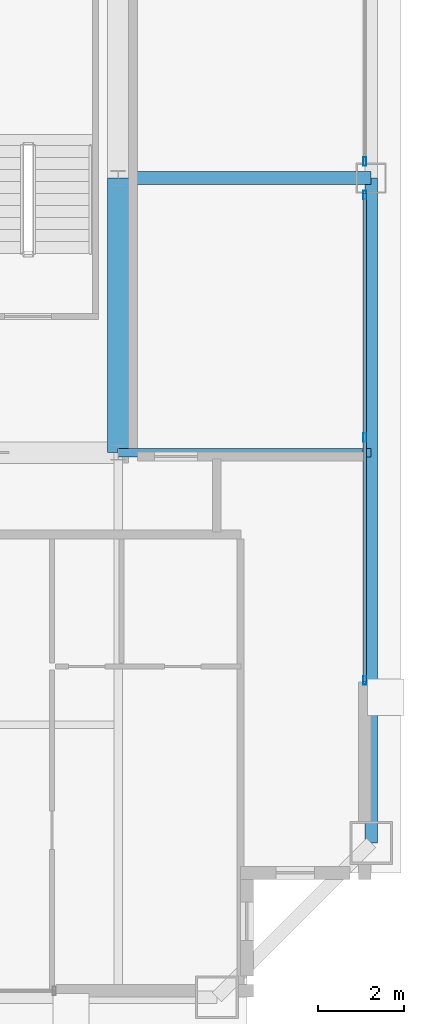
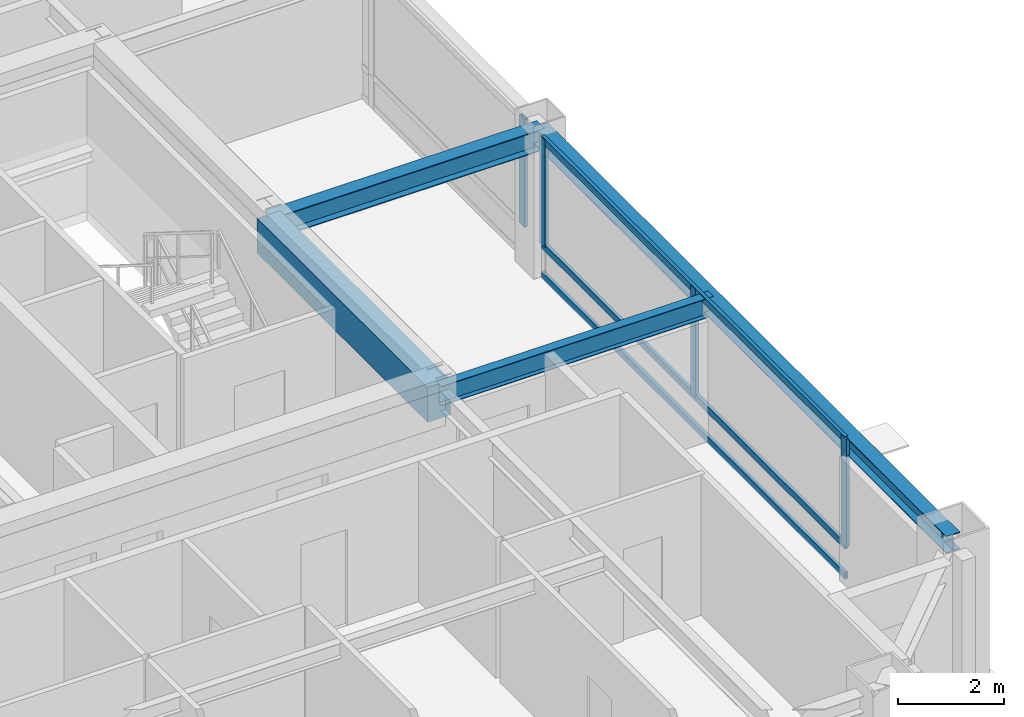
# One storey, part 14 of 35: 7 members, 4 beams, 2 elements without a shape of their own.
"""IFC4 building model written with IfcOpenShell, lengths in metres."""

from ifc_helpers import new_model, si_unit, direction, frame, origin, origin_2d, place, context, subcontext, project, spatial, rectangle, hollow_rectangle, i_section, extrude, source, transform, mapped, material, layer, layer_set, material_profile, profile_set, type_object, element, aggregate, save


model = new_model("IFC4")

# Units and contexts
model_context = context("Model", 3, precision=1e-05, world=origin(), true_north=direction((0.0, 1.0)))
body_context = subcontext(model_context, "Body", "Model", "MODEL_VIEW")
ifc_project = project(units=[si_unit("LENGTHUNIT", "METRE"), si_unit("AREAUNIT", "SQUARE_METRE"), si_unit("VOLUMEUNIT", "CUBIC_METRE"), si_unit("PLANEANGLEUNIT", "RADIAN"), si_unit("MASSUNIT", "GRAM", prefix="KILO"), si_unit("THERMODYNAMICTEMPERATUREUNIT", "KELVIN"), si_unit("POWERUNIT", "WATT")], contexts=[model_context])

# Site, building, storey
site_placement = place(None, origin())
site = spatial("IfcSite", under=ifc_project, at=site_placement, CompositionType="ELEMENT")
building_placement = place(site_placement, origin())
building = spatial("IfcBuilding", under=site, at=building_placement, Name="Yuzanri Waterfront Tower", CompositionType="ELEMENT")
storey_placement = place(building_placement, frame((0.0, 0.0, 303.10009765625)))
storey = spatial("IfcBuildingStorey", under=building, at=storey_placement, Name="L81", CompositionType="ELEMENT", Elevation=303.10009765625)

# Beams
ifc_material_1 = material(Name="Concrete C50", Category="concrete")
ifc_material_profile_1 = material_profile(ifc_material_1, rectangle(XDim=0.5, YDim=0.800048828125, at=origin_2d()), Name="RC 500x800")
ifc_profile_set_1 = profile_set([ifc_material_profile_1], Name="Concrete C50")
beam_type_1 = type_object("IfcBeamType", Name="Core Coupling Lintel Concrete C50 500x800", PredefinedType="LINTEL", material=ifc_profile_set_1)
shared_shape_1 = source(origin(), body_context, "Body", "SweptSolid", [
    extrude(rectangle(XDim=0.5, YDim=0.800048828125, at=origin_2d()), origin(), (0.0, 0.0, 1.0), 6.400146484375),
])
beam_1_placement = place(storey_placement, frame((50.199951171875, 19.39990234375, 2.81982421875), z_axis=(0.0, 1.0, 0.0), x_axis=(-1.0, 0.0, 0.0)))
element("IfcBeam", 1, at=beam_1_placement, inside=storey, type_object=beam_type_1, Name="L81 Core Tie Beam CE1", PredefinedType="LINTEL", context=body_context, shape_type="MappedRepresentation", body=[
    mapped(shared_shape_1, transform((0.0, 0.0, 0.0), scale=1.0)),
])
ifc_material_2 = material(Name="Steel Q355B", Category="steel")
ifc_material_profile_2 = material_profile(ifc_material_2, i_section(OverallWidth=0.300048828125, OverallDepth=0.389892578125, WebThickness=0.010009765625, FlangeThickness=0.01611328125, at=origin_2d()), Name="HM 390x300x10x16")
ifc_profile_set_2 = profile_set([ifc_material_profile_2], Name="Steel Q355B")
beam_type_2 = type_object("IfcBeamType", Name="Perimeter Spandrel Q355B HM 390x300", PredefinedType="SPANDREL", material=ifc_profile_set_2)
shared_shape_2 = source(origin(), body_context, "Body", "SweptSolid", [
    extrude(i_section(OverallWidth=0.300048828125, OverallDepth=0.389892578125, WebThickness=0.010009765625, FlangeThickness=0.01611328125, at=origin_2d()), origin(), (0.0, 0.0, 1.0), 15.5),
])
beam_2_placement = place(storey_placement, frame((56.10009765625, 10.300048828125, 3.02490234375), z_axis=(0.0, 1.0, 0.0), x_axis=(-1.0, 0.0, 0.0)))
element("IfcBeam", 2, at=beam_2_placement, inside=storey, type_object=beam_type_2, Name="L81 Perimeter Spandrel E1-E2", PredefinedType="SPANDREL", context=body_context, shape_type="MappedRepresentation", body=[
    mapped(shared_shape_2, transform((0.0, 0.0, 0.0), scale=1.0)),
])
ifc_material_3 = material(Name="Steel Q355B", Category="steel")
ifc_material_profile_3 = material_profile(ifc_material_3, i_section(OverallWidth=0.300048828125, OverallDepth=0.488037109375, WebThickness=0.010986328125, FlangeThickness=0.01806640625, at=origin_2d()), Name="HM 488x300x11x18")
ifc_profile_set_3 = profile_set([ifc_material_profile_3], Name="Steel Q355B")
beam_type_3 = type_object("IfcBeamType", Name="Primary Floor Girder Q355B HM 488x300", PredefinedType="BEAM", material=ifc_profile_set_3)
shared_shape_3 = source(origin(), body_context, "Body", "SweptSolid", [
    extrude(i_section(OverallWidth=0.300048828125, OverallDepth=0.488037109375, WebThickness=0.010986328125, FlangeThickness=0.01806640625, at=origin_2d()), origin(), (0.0, 0.0, 1.0), 5.900146484375),
])
beam_3_placement = place(storey_placement, frame((50.199951171875, 25.800048828125, 2.975830078125), z_axis=(1.0, 0.0, 0.0), x_axis=(0.0, 1.0, 0.0)))
element("IfcBeam", 3, at=beam_3_placement, inside=storey, type_object=beam_type_3, Name="L81 East Grid Girder", PredefinedType="BEAM", context=body_context, shape_type="MappedRepresentation", body=[
    mapped(shared_shape_3, transform((0.0, 0.0, 0.0), scale=1.0)),
])
ifc_material_4 = material(Name="Steel Q355B", Category="steel")
ifc_material_profile_4 = material_profile(ifc_material_4, i_section(OverallWidth=0.199951171875, OverallDepth=0.449951171875, WebThickness=0.009033203125, FlangeThickness=0.013916015625, at=origin_2d()), Name="HN 450x200x9x14")
ifc_profile_set_4 = profile_set([ifc_material_profile_4], Name="Steel Q355B")
beam_type_4 = type_object("IfcBeamType", Name="Secondary Floor Beam Q355B HN 450x200", PredefinedType="BEAM", material=ifc_profile_set_4)
shared_shape_4 = source(origin(), body_context, "Body", "SweptSolid", [
    extrude(i_section(OverallWidth=0.199951171875, OverallDepth=0.449951171875, WebThickness=0.009033203125, FlangeThickness=0.013916015625, at=origin_2d()), origin(), (0.0, 0.0, 1.0), 5.900146484375),
])
beam_4_placement = place(storey_placement, frame((50.199951171875, 19.39990234375, 2.994873046875), z_axis=(1.0, 0.0, 0.0), x_axis=(0.0, 1.0, 0.0)))
element("IfcBeam", 4, at=beam_4_placement, inside=storey, type_object=beam_type_4, Name="L81 East-South Core Line Beam", PredefinedType="BEAM", context=body_context, shape_type="MappedRepresentation", body=[
    mapped(shared_shape_4, transform((0.0, 0.0, 0.0), scale=1.0)),
])

# Curtain wall, members
ifc_material_5 = material(Name="Anodized Architectural Bronze", Category="metal")
ifc_layer = layer(ifc_material_5, 0.159912109375)
ifc_layer_set = layer_set([ifc_layer], Name="Anodized Architectural Bronze")
curtain_wall_type = type_object("IfcCurtainWallType", Name="Anodized Bronze High-Rise Penthouse High-Wind Unitized Curtain Wall 6900", PredefinedType="NOTDEFINED", material=ifc_layer_set)
curtain_wall_1_placement = place(storey_placement, origin())
curtain_wall_1 = element("IfcCurtainWall", 5, at=curtain_wall_1_placement, inside=storey, type_object=curtain_wall_type, Name="L81 Curtain Wall CW-L81-EL", PredefinedType="NOTDEFINED")
ifc_material_6 = material(Name="Anodized Architectural Bronze", Category="metal")
ifc_material_profile_5 = material_profile(ifc_material_6, hollow_rectangle(XDim=0.074951171875, YDim=0.14990234375, WallThickness=0.00390625, at=origin_2d()), Name="CWT 75x150")
ifc_profile_set_5 = profile_set([ifc_material_profile_5], Name="Anodized Architectural Bronze")
member_type_1 = type_object("IfcMemberType", Name="Anodized Bronze Primary Curtain-Wall Transom 75x150", PredefinedType="USERDEFINED", material=ifc_profile_set_5)
shared_shape_5 = source(origin(), body_context, "Body", "SweptSolid", [
    extrude(hollow_rectangle(XDim=0.074951171875, YDim=0.14990234375, WallThickness=0.00390625, at=origin_2d()), origin(), (0.0, 0.0, 1.0), 11.39990234375),
])
member_1_placement = place(storey_placement, frame((55.949951171875, 14.050048828125, 0.0498046875), z_axis=(0.0, 1.0, 0.0), x_axis=(-1.0, 0.0, 0.0)))
member_1 = element("IfcMember", 6, at=member_1_placement, type_object=member_type_1, Name="CW-L81-EL Transom 1", ObjectType="TRANSOM", PredefinedType="USERDEFINED", context=body_context, shape_type="MappedRepresentation", body=[
    mapped(shared_shape_5, transform((0.0, 0.0, 0.0), scale=1.0)),
])
member_2_placement = place(storey_placement, frame((55.949951171875, 14.050048828125, 0.740966796875), z_axis=(0.0, 1.0, 0.0), x_axis=(-1.0, 0.0, 0.0)))
member_2 = element("IfcMember", 7, at=member_2_placement, type_object=member_type_1, Name="CW-L81-EL Transom 2", ObjectType="TRANSOM", PredefinedType="USERDEFINED", context=body_context, shape_type="MappedRepresentation", body=[
    mapped(shared_shape_5, transform((0.0, 0.0, 0.0), scale=1.0)),
])
member_3_placement = place(storey_placement, frame((55.949951171875, 14.050048828125, 3.169921875), z_axis=(0.0, 1.0, 0.0), x_axis=(-1.0, 0.0, 0.0)))
member_3 = element("IfcMember", 8, at=member_3_placement, type_object=member_type_1, Name="CW-L81-EL Transom 3", ObjectType="TRANSOM", PredefinedType="USERDEFINED", context=body_context, shape_type="MappedRepresentation", body=[
    mapped(shared_shape_5, transform((0.0, 0.0, 0.0), scale=1.0)),
])
ifc_material_7 = material(Name="Anodized Architectural Bronze", Category="metal")
ifc_material_profile_6 = material_profile(ifc_material_7, hollow_rectangle(XDim=0.074951171875, YDim=0.199951171875, WallThickness=0.00390625, at=origin_2d()), Name="CWM 75x200")
ifc_profile_set_6 = profile_set([ifc_material_profile_6], Name="Anodized Architectural Bronze")
member_type_2 = type_object("IfcMemberType", Name="Anodized Bronze Primary Curtain-Wall Mullion 75x200", PredefinedType="MULLION", material=ifc_profile_set_6)
shared_shape_6 = source(origin(), body_context, "Body", "SweptSolid", [
    extrude(hollow_rectangle(XDim=0.074951171875, YDim=0.199951171875, WallThickness=0.00390625, at=origin_2d()), origin(), (0.0, 0.0, 1.0), 2.47705078125),
])
member_4_placement = place(storey_placement, frame((55.949951171875, 14.090087890625, 0.742919921875), z_axis=(0.0, 0.0, 1.0), x_axis=(1.0, 0.0, 0.0)))
member_4 = element("IfcMember", 9, at=member_4_placement, type_object=member_type_2, Name="CW-L81-EL Upper Mullion 00", PredefinedType="MULLION", context=body_context, shape_type="MappedRepresentation", body=[
    mapped(shared_shape_6, transform((0.0, 0.0, 0.0), scale=1.0)),
])
member_5_placement = place(storey_placement, frame((55.949951171875, 19.75, 0.742919921875), z_axis=(0.0, 0.0, 1.0), x_axis=(1.0, 0.0, 0.0)))
member_5 = element("IfcMember", 10, at=member_5_placement, type_object=member_type_2, Name="CW-L81-EL Upper Mullion 01", PredefinedType="MULLION", context=body_context, shape_type="MappedRepresentation", body=[
    mapped(shared_shape_6, transform((0.0, 0.0, 0.0), scale=1.0)),
])
member_6_placement = place(storey_placement, frame((55.949951171875, 25.409912109375, 0.742919921875), z_axis=(0.0, 0.0, 1.0), x_axis=(1.0, 0.0, 0.0)))
member_6 = element("IfcMember", 11, at=member_6_placement, type_object=member_type_2, Name="CW-L81-EL Upper Mullion 02", PredefinedType="MULLION", context=body_context, shape_type="MappedRepresentation", body=[
    mapped(shared_shape_6, transform((0.0, 0.0, 0.0), scale=1.0)),
])
aggregate(curtain_wall_1, [member_4, member_5, member_6, member_1, member_2, member_3])

# Curtain wall, member
curtain_wall_2_placement = place(storey_placement, origin())
curtain_wall_2 = element("IfcCurtainWall", 12, at=curtain_wall_2_placement, inside=storey, type_object=curtain_wall_type, Name="L81 Curtain Wall CW-L81-ER", PredefinedType="NOTDEFINED")
member_7_placement = place(storey_placement, frame((55.949951171875, 26.18994140625, 0.742919921875), z_axis=(0.0, 0.0, 1.0), x_axis=(1.0, 0.0, 0.0)))
member_7 = element("IfcMember", 13, at=member_7_placement, type_object=member_type_2, Name="CW-L81-ER Upper Mullion 00", PredefinedType="MULLION", context=body_context, shape_type="MappedRepresentation", body=[
    mapped(shared_shape_6, transform((0.0, 0.0, 0.0), scale=1.0)),
])
aggregate(curtain_wall_2, [member_7])

save(model, "model.ifc")
